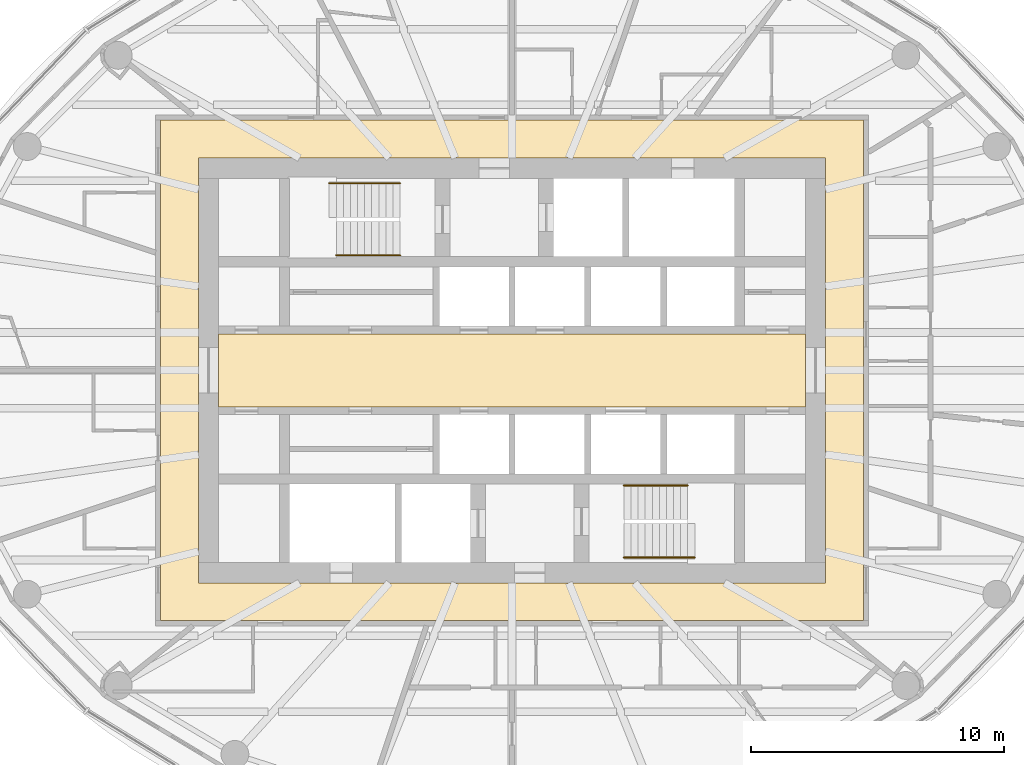
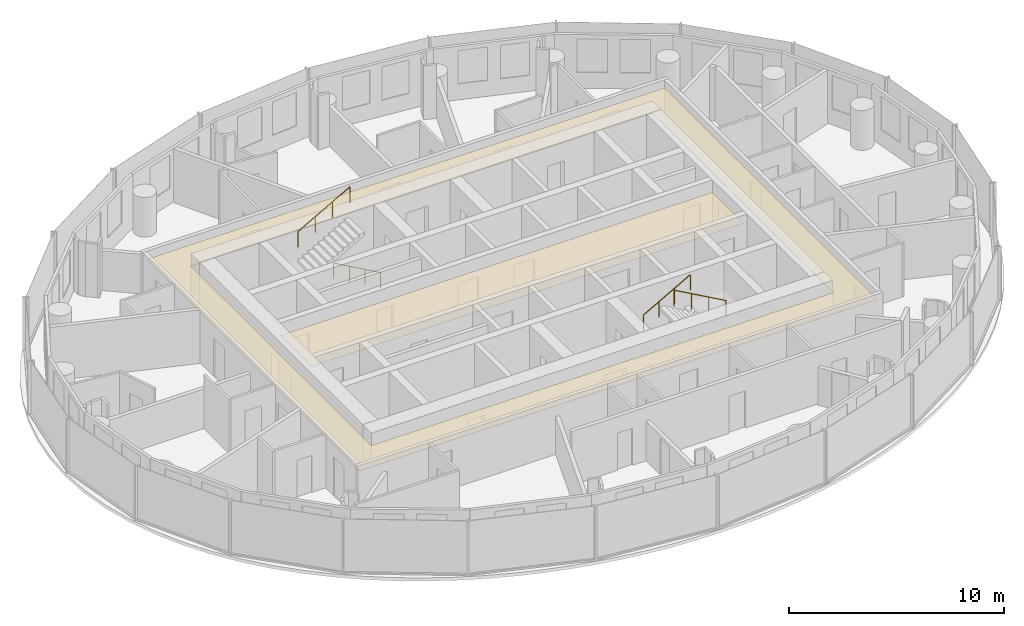
# One storey, part 14 of 14: 4 railings, 2 coverings.
"""IFC4 building model written with IfcOpenShell, lengths in metres."""

from ifc_helpers import new_model, si_unit, direction, frame, origin, origin_2d, place, context, subcontext, project, spatial, polyline, circle, outline, extrude, material, layer, layer_set, type_object, element, save


model = new_model("IFC4")

# Units and contexts
model_context = context("Model", 3, precision=1e-05, world=origin(), true_north=direction((0.0, 1.0)))
body_context = subcontext(model_context, "Body", "Model", "MODEL_VIEW")
ifc_project = project(units=[si_unit("LENGTHUNIT", "METRE"), si_unit("AREAUNIT", "SQUARE_METRE"), si_unit("VOLUMEUNIT", "CUBIC_METRE"), si_unit("PLANEANGLEUNIT", "RADIAN"), si_unit("MASSUNIT", "GRAM", prefix="KILO")], contexts=[model_context])

# Site, building, storey
site_placement = place(None, origin())
site = spatial("IfcSite", under=ifc_project, at=site_placement, CompositionType="ELEMENT")
building_placement = place(site_placement, origin())
building = spatial("IfcBuilding", under=site, at=building_placement, Name="Hankou Lantern Tower", CompositionType="ELEMENT")
storey_placement = place(building_placement, frame((0.0, 0.0, 183.0)))
storey = spatial("IfcBuildingStorey", under=building, at=storey_placement, Name="L49", CompositionType="ELEMENT", Elevation=183.0)

# Coverings
ifc_material_1 = material(Name="Black painted aluminium linear ceiling panels", Category="aluminium")
ifc_layer_1 = layer(ifc_material_1, 0.02490234375)
ifc_layer_set_1 = layer_set([ifc_layer_1], Name="Black painted aluminium linear ceiling panels")
covering_type_1 = type_object("IfcCoveringType", Name="CL1 CORRIDOR CEILING 25", PredefinedType="CEILING", material=ifc_layer_set_1)
covering_1_placement = place(storey_placement, frame((0.0, 0.0, 2.574951171875)))
element("IfcCovering", 1, at=covering_1_placement, inside=storey, type_object=covering_type_1, Name="Corridor ceiling L49", PredefinedType="CEILING", context=body_context, shape_type="SweptSolid", body=[
    extrude(outline(polyline([(-13.89990234375, -9.89990234375), (13.89990234375, -9.89990234375), (13.89990234375, 9.89990234375), (-13.89990234375, 9.89990234375), (-13.89990234375, -9.89990234375)]), holes=[polyline([(-12.39990234375, 8.39990234375), (12.39990234375, 8.39990234375), (12.39990234375, -8.39990234375), (-12.39990234375, -8.39990234375), (-12.39990234375, 8.39990234375)])]), origin(), (0.0, 0.0, 1.0), 0.025146484375),
])
ifc_material_2 = material(Name="Perforated black aluminium acoustic tray ceiling", Category="aluminium")
ifc_layer_2 = layer(ifc_material_2, 0.014892578125)
ifc_layer_set_2 = layer_set([ifc_layer_2], Name="Perforated black aluminium acoustic tray ceiling")
covering_type_2 = type_object("IfcCoveringType", Name="CL2 LIFT LOBBY CEILING 15", PredefinedType="CEILING", material=ifc_layer_set_2)
covering_2_placement = place(storey_placement, frame((0.0, 0.0, 2.5849609375)))
element("IfcCovering", 2, at=covering_2_placement, inside=storey, type_object=covering_type_2, Name="Lift lobby ceiling L49", PredefinedType="CEILING", context=body_context, shape_type="SweptSolid", body=[
    extrude(outline(polyline([(-11.60009765625, -1.449951171875), (11.60009765625, -1.449951171875), (11.60009765625, 1.449951171875), (-11.60009765625, 1.449951171875), (-11.60009765625, -1.449951171875)])), origin(), (0.0, 0.0, 1.0), 0.01513671875),
])

# Railings
ifc_material_3 = material(Name="Steel handrail", Category="steel")
railing_type = type_object("IfcRailingType", Name="HR1 STAIR HANDRAIL", PredefinedType="HANDRAIL", material=ifc_material_3)
railing_1_placement = place(storey_placement, frame((-4.429931640625, 4.550048828125, 0.89990234375)))
element("IfcRailing", 3, at=railing_1_placement, inside=storey, type_object=railing_type, Name="Handrail stair STA L49 flight 1", PredefinedType="HANDRAIL", context=body_context, shape_type="SweptSolid", body=[
    extrude(circle(Radius=0.02392578125, at=origin_2d()), frame((0.0, 0.0, 0.8759765625), z_axis=(-0.872048945198, 0.0, 0.489418672692), x_axis=(0.0, -1.0, 0.0)), (0.0, 0.0, 1.0), 2.8896484375),
    extrude(circle(Radius=0.02099609375, at=origin_2d()), origin(), (0.0, 0.0, 1.0), 0.851806640625),
    extrude(circle(Radius=0.02099609375, at=origin_2d()), frame((-0.840087890625, 0.0, 0.471435546875)), (0.0, 0.0, 1.0), 0.851806640625),
    extrude(circle(Radius=0.02099609375, at=origin_2d()), frame((-1.679931640625, 0.0, 0.94287109375)), (0.0, 0.0, 1.0), 0.851806640625),
    extrude(circle(Radius=0.02099609375, at=origin_2d()), frame((-2.52001953125, 0.0, 1.414306640625)), (0.0, 0.0, 1.0), 0.851806640625),
])
railing_2_placement = place(storey_placement, frame((-7.22998046875, 7.39990234375, 2.471435546875)))
element("IfcRailing", 4, at=railing_2_placement, inside=storey, type_object=railing_type, Name="Handrail stair STA L49 flight 2", PredefinedType="HANDRAIL", context=body_context, shape_type="SweptSolid", body=[
    extrude(circle(Radius=0.02392578125, at=origin_2d()), frame((0.0, 0.0, 0.8759765625), z_axis=(0.872040151574, 0.0, 0.489434340891), x_axis=(0.0, 1.0, 0.0)), (0.0, 0.0, 1.0), 3.2109375),
    extrude(circle(Radius=0.02099609375, at=origin_2d()), origin(), (0.0, 0.0, 1.0), 0.851806640625),
    extrude(circle(Radius=0.02099609375, at=origin_2d()), frame((0.933349609375, 0.0, 0.52392578125)), (0.0, 0.0, 1.0), 0.851806640625),
    extrude(circle(Radius=0.02099609375, at=origin_2d()), frame((1.86669921875, 0.0, 1.047607421875)), (0.0, 0.0, 1.0), 0.851806640625),
    extrude(circle(Radius=0.02099609375, at=origin_2d()), frame((2.800048828125, 0.0, 1.571533203125)), (0.0, 0.0, 1.0), 0.851806640625),
])
railing_3_placement = place(storey_placement, frame((4.429931640625, -4.550048828125, 0.89990234375)))
element("IfcRailing", 5, at=railing_3_placement, inside=storey, type_object=railing_type, Name="Handrail stair STB L49 flight 1", PredefinedType="HANDRAIL", context=body_context, shape_type="SweptSolid", body=[
    extrude(circle(Radius=0.02392578125, at=origin_2d()), frame((0.0, 0.0, 0.8759765625), z_axis=(0.872048945198, 0.0, 0.489418672692), x_axis=(0.0, 1.0, 0.0)), (0.0, 0.0, 1.0), 2.8896484375),
    extrude(circle(Radius=0.02099609375, at=origin_2d()), origin(), (0.0, 0.0, 1.0), 0.851806640625),
    extrude(circle(Radius=0.02099609375, at=origin_2d()), frame((0.840087890625, 0.0, 0.471435546875)), (0.0, 0.0, 1.0), 0.851806640625),
    extrude(circle(Radius=0.02099609375, at=origin_2d()), frame((1.679931640625, 0.0, 0.94287109375)), (0.0, 0.0, 1.0), 0.851806640625),
    extrude(circle(Radius=0.02099609375, at=origin_2d()), frame((2.52001953125, 0.0, 1.414306640625)), (0.0, 0.0, 1.0), 0.851806640625),
])
railing_4_placement = place(storey_placement, frame((7.22998046875, -7.39990234375, 2.471435546875)))
element("IfcRailing", 6, at=railing_4_placement, inside=storey, type_object=railing_type, Name="Handrail stair STB L49 flight 2", PredefinedType="HANDRAIL", context=body_context, shape_type="SweptSolid", body=[
    extrude(circle(Radius=0.02392578125, at=origin_2d()), frame((0.0, 0.0, 0.8759765625), z_axis=(-0.872040151574, 0.0, 0.489434340891), x_axis=(0.0, -1.0, 0.0)), (0.0, 0.0, 1.0), 3.2109375),
    extrude(circle(Radius=0.02099609375, at=origin_2d()), origin(), (0.0, 0.0, 1.0), 0.851806640625),
    extrude(circle(Radius=0.02099609375, at=origin_2d()), frame((-0.933349609375, 0.0, 0.52392578125)), (0.0, 0.0, 1.0), 0.851806640625),
    extrude(circle(Radius=0.02099609375, at=origin_2d()), frame((-1.86669921875, 0.0, 1.047607421875)), (0.0, 0.0, 1.0), 0.851806640625),
    extrude(circle(Radius=0.02099609375, at=origin_2d()), frame((-2.800048828125, 0.0, 1.571533203125)), (0.0, 0.0, 1.0), 0.851806640625),
])

save(model, "model.ifc")
